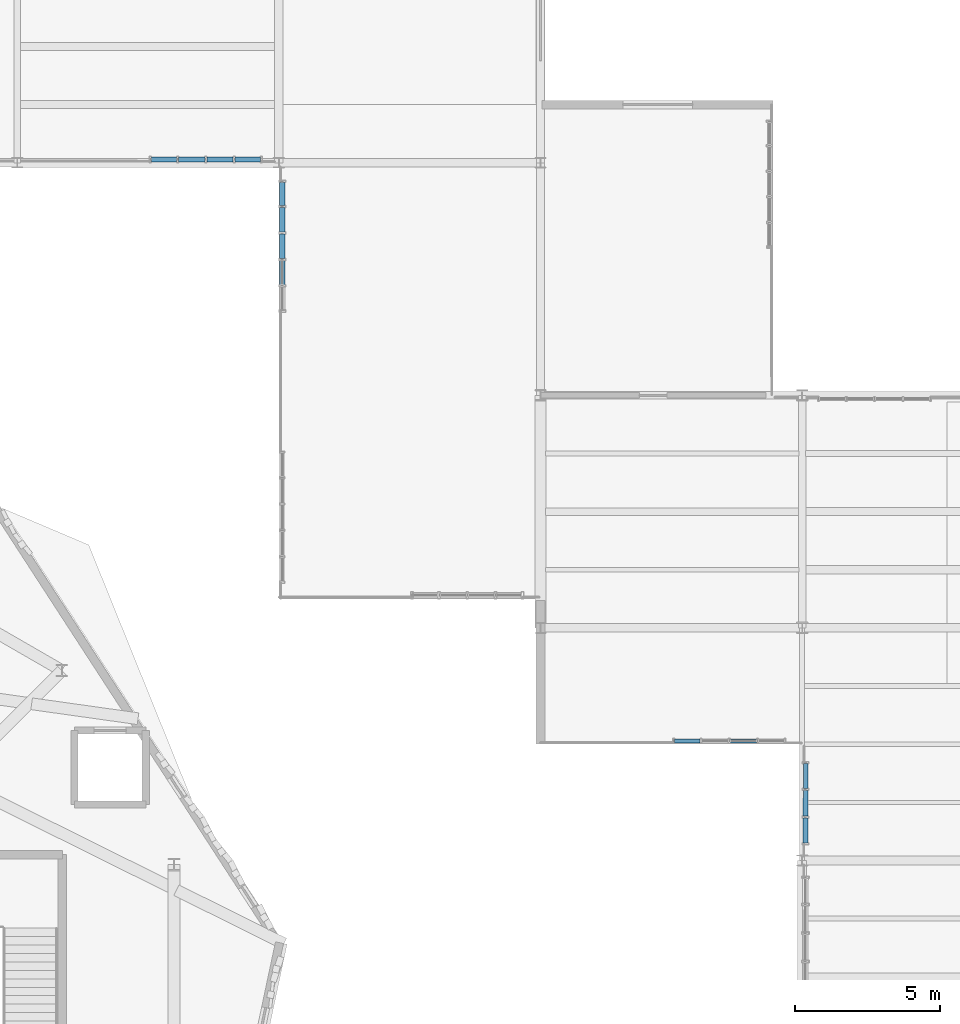
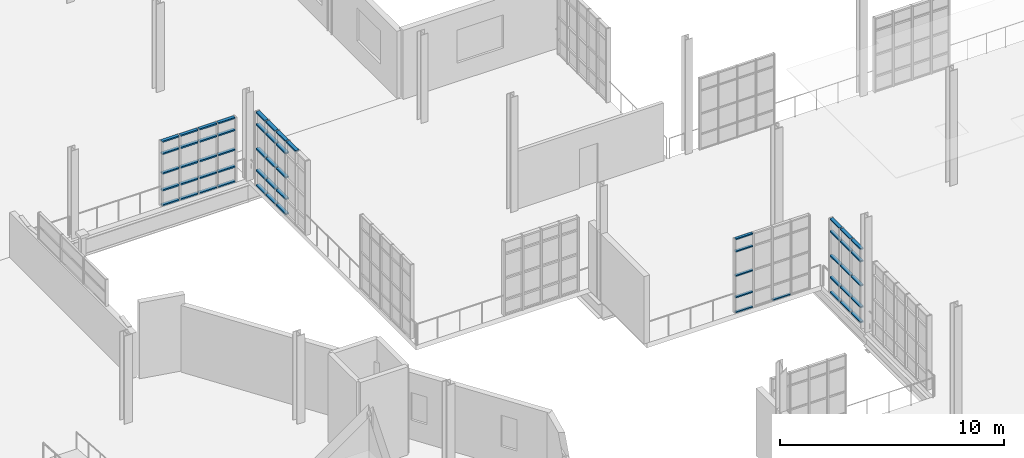
# One storey, part 80 of 118: 57 members, 4 elements without a shape of their own.
"""IFC4 building model written with IfcOpenShell, lengths in metres."""

import ifcopenshell
import ifcopenshell.guid

model = None  # the IFC model being written
_history = None  # IfcOwnerHistory: only IFC2X3 demands one
_inside = {}  # id of a spatial element -> (the spatial element, [elements in it])
_under = {}  # id of a project, library or spatial element -> (it, [spatial elements below it])
_declared = {}  # id of a project -> (the project, [libraries it declares])
_typed = {}  # id of a type object -> (the type object, [elements of that type])
_made_of = {}  # id of a material, layer set ... -> (it, [elements and type objects made of it])


def new_model(schema):
    """Start an empty IFC model of exactly this schema.

    Asked for "IFC4X3", IfcOpenShell would pick the latest addendum, in which some entities
    have other attributes; the version numbers below select the first issue.
    IFC2X3 requires an IfcOwnerHistory on every rooted entity: one is made here for all.
    """
    global model, _history
    if schema == "IFC4X3":
        model = ifcopenshell.file(schema_version=(4, 3, 0, 0))
    else:
        model = ifcopenshell.file(schema=schema)
    _inside.clear()
    _under.clear()
    _declared.clear()
    _typed.clear()
    _made_of.clear()
    _history = None
    if model.schema == "IFC2X3":
        org = make("IfcOrganization", Name="unknown")
        user = make(
            "IfcPersonAndOrganization",
            ThePerson=make("IfcPerson", FamilyName="unknown"),
            TheOrganization=org,
        )
        app = make(
            "IfcApplication",
            ApplicationDeveloper=org,
            Version="unknown",
            ApplicationFullName="unknown",
            ApplicationIdentifier="unknown",
        )
        _history = make(
            "IfcOwnerHistory",
            OwningUser=user,
            OwningApplication=app,
            ChangeAction="ADDED",
            CreationDate=0,
        )
    return model


def make(cls, **values):
    """One entity of the class cls with the attributes given. An attribute that is None is left unset."""
    return model.create_entity(
        cls, **{name: value for name, value in values.items() if value is not None}
    )


def rooted(cls, **values):
    """An entity with a GlobalId (a new one), such as an element, a storey or a relation."""
    return make(cls, GlobalId=ifcopenshell.guid.new(), OwnerHistory=_history, **values)


def si_unit(unit_type, name, prefix=None):
    """IfcSIUnit, for example si_unit("LENGTHUNIT", "METRE", prefix="MILLI")."""
    return make("IfcSIUnit", UnitType=unit_type, Prefix=prefix, Name=name)


def assignment(units):
    """IfcUnitAssignment: the units of a project."""
    return None if units is None else make("IfcUnitAssignment", Units=units)


def point(xyz):
    """IfcCartesianPoint."""
    return None if xyz is None else make("IfcCartesianPoint", Coordinates=xyz)


def direction(xyz):
    """IfcDirection."""
    return None if xyz is None else make("IfcDirection", DirectionRatios=xyz)


def frame(location, z_axis=None, x_axis=None):
    """IfcAxis2Placement3D, a coordinate frame: its origin and axes. An axis left out is left unset."""
    return make(
        "IfcAxis2Placement3D",
        Location=point(location),
        Axis=direction(z_axis),
        RefDirection=direction(x_axis),
    )


def frame_2d(location, x_axis=None):
    """IfcAxis2Placement2D, a coordinate frame in the plane: its origin and x axis."""
    return make(
        "IfcAxis2Placement2D", Location=point(location), RefDirection=direction(x_axis)
    )


def origin():
    """The frame at (0, 0, 0) with its axes left unset."""
    return frame((0.0, 0.0, 0.0))


def origin_2d():
    """The frame at (0, 0) in the plane with its x axis left unset."""
    return frame_2d((0.0, 0.0))


def place(relative_to, where):
    """IfcLocalPlacement: puts the frame where relative to a parent placement (None: the world)."""
    return make(
        "IfcLocalPlacement", PlacementRelTo=relative_to, RelativePlacement=where
    )


def context(
    kind, dimensions, precision=None, world=None, true_north=None, identifier=None
):
    """IfcGeometricRepresentationContext, for example the 3D "Model" context."""
    return make(
        "IfcGeometricRepresentationContext",
        ContextIdentifier=identifier,
        ContextType=kind,
        CoordinateSpaceDimension=dimensions,
        Precision=precision,
        WorldCoordinateSystem=world,
        TrueNorth=true_north,
    )


def subcontext(parent, identifier, kind, view, scale=None):
    """IfcGeometricRepresentationSubContext, for example "Body" below "Model"."""
    return make(
        "IfcGeometricRepresentationSubContext",
        ContextIdentifier=identifier,
        ContextType=kind,
        ParentContext=parent,
        TargetScale=scale,
        TargetView=view,
    )


def project(units=None, contexts=None):
    """IfcProject with its units and contexts."""
    return rooted(
        "IfcProject",
        Name="project",
        RepresentationContexts=contexts,
        UnitsInContext=assignment(units),
    )


def spatial(cls, under=None, at=None, **own):
    """A site, building, storey or space (cls), placed at a placement, below another one or the project."""
    s = rooted(cls, ObjectPlacement=at, **own)
    if under is not None:
        _under.setdefault(under.id(), (under, []))[1].append(s)
    return s


def profile(cls, at=None, kind="AREA", **sizes):
    """A parametric profile (cls). Its sizes go by their IFC names, for example OverallWidth=200.0."""
    return make(cls, ProfileType=kind, Position=at, **sizes)


def hollow_rectangle(**sizes):
    """IfcRectangleHollowProfileDef."""
    return profile("IfcRectangleHollowProfileDef", **sizes)


def extrude(swept, where, along, depth):
    """IfcExtrudedAreaSolid: the profile swept, set in the frame where, extruded along a direction by depth."""
    return make(
        "IfcExtrudedAreaSolid",
        SweptArea=swept,
        Position=where,
        ExtrudedDirection=direction(along),
        Depth=depth,
    )


def shape(context_of_items, identifier, shape_type, items):
    """IfcShapeRepresentation: the items that make up one representation, for example the "Body"."""
    return make(
        "IfcShapeRepresentation",
        ContextOfItems=context_of_items,
        RepresentationIdentifier=identifier,
        RepresentationType=shape_type,
        Items=items,
    )


def material(Name=None, Category=None):
    """IfcMaterial."""
    return make("IfcMaterial", Name=Name, Category=Category)


def layer(
    of_material, thickness, ventilated=None, Name=None, Category=None, Priority=None
):
    """IfcMaterialLayer: one layer of a wall or slab, of a material (None: an air gap)."""
    return make(
        "IfcMaterialLayer",
        Material=of_material,
        LayerThickness=thickness,
        IsVentilated=ventilated,
        Name=Name,
        Category=Category,
        Priority=Priority,
    )


def layer_set(layers, Name=None):
    """IfcMaterialLayerSet."""
    return make("IfcMaterialLayerSet", MaterialLayers=layers, LayerSetName=Name)


def material_profile(
    of_material, cross_section, Name=None, Category=None, Priority=None
):
    """IfcMaterialProfile: a cross section and its material."""
    return make(
        "IfcMaterialProfile",
        Name=Name,
        Material=of_material,
        Profile=cross_section,
        Priority=Priority,
        Category=Category,
    )


def profile_set(profiles, Name=None, composite=None):
    """IfcMaterialProfileSet."""
    return make(
        "IfcMaterialProfileSet",
        Name=Name,
        MaterialProfiles=profiles,
        CompositeProfile=composite,
    )


def made_of(thing, what):
    """Note that an element or type object is made of a material, layer set ...; save() writes the relation."""
    if what is not None:
        _made_of.setdefault(what.id(), (what, []))[1].append(thing)
    return thing


def type_object(cls, material=None, **own):
    """A type object (cls), such as IfcWallType, which elements share."""
    return made_of(rooted(cls, **own), material)


def element(
    cls,
    number,
    at=None,
    inside=None,
    cuts=None,
    type_object=None,
    material=None,
    context=None,
    identifier="Body",
    shape_type=None,
    held_by="IfcProductDefinitionShape",
    body=None,
    shapes=None,
    **own,
):
    """One element of the class cls, such as IfcWall. Its Tag is "e" and its number.

    at: its placement. inside: the storey or other place that contains it. cuts: it is an
    opening in that element (IfcRelVoidsElement). A single representation is given by context,
    identifier, shape_type and body (its items); several are given by shapes. held_by: the class
    of the entity that holds the representations. save() writes the other relations.
    """
    e = rooted(cls, Tag="e%d" % number, ObjectPlacement=at, **own)
    if body is not None:
        shapes = [shape(context, identifier, shape_type, body)]
    if shapes is not None:
        e.Representation = make(held_by, Representations=shapes)
    if inside is not None:
        _inside.setdefault(inside.id(), (inside, []))[1].append(e)
    if cuts is not None:
        rooted(
            "IfcRelVoidsElement", RelatingBuildingElement=cuts, RelatedOpeningElement=e
        )
    if type_object is not None:
        _typed.setdefault(type_object.id(), (type_object, []))[1].append(e)
    return made_of(e, material)


def aggregate(whole, parts):
    """IfcRelAggregates: a whole, such as a stair, and the parts it consists of."""
    return rooted("IfcRelAggregates", RelatingObject=whole, RelatedObjects=parts)


def save(model, path):
    """Write the relations noted so far, then the file.

    IfcRelAggregates (storeys below a building ...), IfcRelContainedInSpatialStructure (elements
    in a storey), IfcRelDefinesByType, IfcRelAssociatesMaterial and IfcRelDeclares: one each for
    every whole, place, type object, material and project.
    """
    for whole, parts in _under.values():
        aggregate(whole, parts)
    for where, things in _inside.values():
        rooted(
            "IfcRelContainedInSpatialStructure",
            RelatedElements=things,
            RelatingStructure=where,
        )
    for kind, things in _typed.values():
        rooted("IfcRelDefinesByType", RelatedObjects=things, RelatingType=kind)
    for what, things in _made_of.values():
        rooted("IfcRelAssociatesMaterial", RelatedObjects=things, RelatingMaterial=what)
    for by, libraries in _declared.values():
        rooted("IfcRelDeclares", RelatingContext=by, RelatedDefinitions=libraries)
    model.write(path)


model = new_model("IFC4")

# Units and contexts
model_context = context("Model", 3, precision=1e-05, world=origin(), true_north=direction((0.0, 1.0)))
body_context = subcontext(model_context, "Body", "Model", "MODEL_VIEW")
ifc_project = project(units=[si_unit("LENGTHUNIT", "METRE"), si_unit("AREAUNIT", "SQUARE_METRE"), si_unit("VOLUMEUNIT", "CUBIC_METRE"), si_unit("PLANEANGLEUNIT", "RADIAN"), si_unit("MASSUNIT", "GRAM", prefix="KILO"), si_unit("THERMODYNAMICTEMPERATUREUNIT", "KELVIN"), si_unit("POWERUNIT", "WATT")], contexts=[model_context])

# Site, building, storey
site_placement = place(None, origin())
site = spatial("IfcSite", under=ifc_project, at=site_placement, CompositionType="ELEMENT")
building_placement = place(site_placement, origin())
building = spatial("IfcBuilding", under=site, at=building_placement, Name="Zelmaris Science Centre", CompositionType="ELEMENT")
storey_placement = place(building_placement, frame((0.0, 0.0, 15.60009765625)))
storey = spatial("IfcBuildingStorey", under=building, at=storey_placement, Name="L03", CompositionType="ELEMENT", Elevation=15.60009765625)

# Curtain wall, members
ifc_material = material(Name="Anodised architectural aluminium 6063-T6", Category="aluminium")
ifc_layer_1 = layer(ifc_material, 0.2099609375, Name="Anodised architectural aluminium 6063-T6")
ifc_layer_set_1 = layer_set([ifc_layer_1], Name="Anodised architectural aluminium 6063-T6")
curtain_wall_type_1 = type_object("IfcCurtainWallType", Name="Curtain Wall CW-03", PredefinedType="USERDEFINED", material=ifc_layer_set_1)
curtain_wall_1_placement = place(storey_placement, origin())
curtain_wall_1 = element("IfcCurtainWall", 1, at=curtain_wall_1_placement, inside=storey, type_object=curtain_wall_type_1, Name="L03 Unitised curtain wall 327", ObjectType="GLAZED CURTAIN WALL", PredefinedType="USERDEFINED")
ifc_material_profile_1 = material_profile(ifc_material, hollow_rectangle(XDim=0.06494140625, YDim=0.1298828125, WallThickness=0.00341796875, at=origin_2d()), Name="ALU-TRN-65X130")
ifc_profile_set_1 = profile_set([ifc_material_profile_1], Name="Anodised architectural aluminium 6063-T6")
member_type_1 = type_object("IfcMemberType", Name="ALU-TRN-65X130", PredefinedType="USERDEFINED", material=ifc_profile_set_1)
member_1_placement = place(storey_placement, frame((115.4375, 44.108642578125, 0.013427734375), z_axis=(-0.99999871932, 0.001600424731, 0.0), x_axis=(0.0, 0.0, 1.0)))
member_1 = element("IfcMember", 2, at=member_1_placement, type_object=member_type_1, Name="CW-03 transom 2.1", ObjectType="TRANSOM", PredefinedType="USERDEFINED", context=body_context, shape_type="SweptSolid", body=[
    extrude(hollow_rectangle(XDim=0.06494140625, YDim=0.1298828125, WallThickness=0.00341796875, at=origin_2d()), origin(), (0.0, 0.0, 1.0), 0.915283203125),
])
member_2_placement = place(storey_placement, frame((113.4931640625, 44.111572265625, 0.013427734375), z_axis=(-0.999998636231, 0.001651525411, 0.0), x_axis=(0.0, 0.0, 1.0)))
member_2 = element("IfcMember", 3, at=member_2_placement, type_object=member_type_1, Name="CW-03 transom 4.1", ObjectType="TRANSOM", PredefinedType="USERDEFINED", context=body_context, shape_type="SweptSolid", body=[
    extrude(hollow_rectangle(XDim=0.06494140625, YDim=0.1298828125, WallThickness=0.00341796875, at=origin_2d()), origin(), (0.0, 0.0, 1.0), 0.886962890625),
])
member_3_placement = place(storey_placement, frame((113.4931640625, 44.111572265625, 0.8349609375), z_axis=(-0.999998636231, 0.001651525411, 0.0), x_axis=(0.0, 0.0, 1.0)))
member_3 = element("IfcMember", 4, at=member_3_placement, type_object=member_type_1, Name="CW-03 transom 4.2", ObjectType="TRANSOM", PredefinedType="USERDEFINED", context=body_context, shape_type="SweptSolid", body=[
    extrude(hollow_rectangle(XDim=0.06494140625, YDim=0.1298828125, WallThickness=0.00341796875, at=origin_2d()), origin(), (0.0, 0.0, 1.0), 0.886962890625),
])
member_4_placement = place(storey_placement, frame((113.4931640625, 44.111572265625, 2.00732421875), z_axis=(-0.999998636231, 0.001651525411, 0.0), x_axis=(0.0, 0.0, 1.0)))
member_4 = element("IfcMember", 5, at=member_4_placement, type_object=member_type_1, Name="CW-03 transom 4.3", ObjectType="TRANSOM", PredefinedType="USERDEFINED", context=body_context, shape_type="SweptSolid", body=[
    extrude(hollow_rectangle(XDim=0.06494140625, YDim=0.1298828125, WallThickness=0.00341796875, at=origin_2d()), origin(), (0.0, 0.0, 1.0), 0.886962890625),
])
member_5_placement = place(storey_placement, frame((113.4931640625, 44.111572265625, 3.329833984375), z_axis=(-0.999998636231, 0.001651525411, 0.0), x_axis=(0.0, 0.0, 1.0)))
member_5 = element("IfcMember", 6, at=member_5_placement, type_object=member_type_1, Name="CW-03 transom 4.4", ObjectType="TRANSOM", PredefinedType="USERDEFINED", context=body_context, shape_type="SweptSolid", body=[
    extrude(hollow_rectangle(XDim=0.06494140625, YDim=0.1298828125, WallThickness=0.00341796875, at=origin_2d()), origin(), (0.0, 0.0, 1.0), 0.886962890625),
])
member_6_placement = place(storey_placement, frame((113.4931640625, 44.111572265625, 4.00146484375), z_axis=(-0.999998636231, 0.001651525411, 0.0), x_axis=(0.0, 0.0, 1.0)))
member_6 = element("IfcMember", 7, at=member_6_placement, type_object=member_type_1, Name="CW-03 transom 4.5", ObjectType="TRANSOM", PredefinedType="USERDEFINED", context=body_context, shape_type="SweptSolid", body=[
    extrude(hollow_rectangle(XDim=0.06494140625, YDim=0.1298828125, WallThickness=0.00341796875, at=origin_2d()), origin(), (0.0, 0.0, 1.0), 0.886962890625),
])
aggregate(curtain_wall_1, [member_1, member_2, member_3, member_4, member_5, member_6])

ifc_layer_2 = layer(ifc_material, 0.199951171875, Name="Anodised architectural aluminium 6063-T6")
ifc_layer_set_2 = layer_set([ifc_layer_2], Name="Anodised architectural aluminium 6063-T6")
curtain_wall_type_2 = type_object("IfcCurtainWallType", Name="Curtain Wall CW-02", PredefinedType="USERDEFINED", material=ifc_layer_set_2)
curtain_wall_2_placement = place(storey_placement, origin())
curtain_wall_2 = element("IfcCurtainWall", 8, at=curtain_wall_2_placement, inside=storey, type_object=curtain_wall_type_2, Name="L03 Unitised curtain wall 326", ObjectType="GLAZED CURTAIN WALL", PredefinedType="USERDEFINED")
ifc_material_profile_2 = material_profile(ifc_material, hollow_rectangle(XDim=0.074951171875, YDim=0.159912109375, WallThickness=0.00390625, at=origin_2d()), Name="ALU-TRN-75X160")
ifc_profile_set_2 = profile_set([ifc_material_profile_2], Name="Anodised architectural aluminium 6063-T6")
member_type_2 = type_object("IfcMemberType", Name="ALU-TRN-75X160", PredefinedType="USERDEFINED", material=ifc_profile_set_2)
member_7_placement = place(storey_placement, frame((117.116455078125, 40.60693359375, 0.018310546875), z_axis=(0.001145146687, 0.999999344319, 0.0), x_axis=(0.0, 0.0, 1.0)))
member_7 = element("IfcMember", 9, at=member_7_placement, type_object=member_type_2, Name="CW-02 transom 1.1", ObjectType="TRANSOM", PredefinedType="USERDEFINED", context=body_context, shape_type="SweptSolid", body=[
    extrude(hollow_rectangle(XDim=0.074951171875, YDim=0.159912109375, WallThickness=0.00390625, at=origin_2d()), origin(), (0.0, 0.0, 1.0), 0.852783203125),
])
member_8_placement = place(storey_placement, frame((117.116455078125, 40.60693359375, 0.8349609375), z_axis=(0.001145146687, 0.999999344319, 0.0), x_axis=(0.0, 0.0, 1.0)))
member_8 = element("IfcMember", 10, at=member_8_placement, type_object=member_type_2, Name="CW-02 transom 1.2", ObjectType="TRANSOM", PredefinedType="USERDEFINED", context=body_context, shape_type="SweptSolid", body=[
    extrude(hollow_rectangle(XDim=0.074951171875, YDim=0.159912109375, WallThickness=0.00390625, at=origin_2d()), origin(), (0.0, 0.0, 1.0), 0.852783203125),
])
member_9_placement = place(storey_placement, frame((117.116455078125, 40.60693359375, 2.00732421875), z_axis=(0.001145146687, 0.999999344319, 0.0), x_axis=(0.0, 0.0, 1.0)))
member_9 = element("IfcMember", 11, at=member_9_placement, type_object=member_type_2, Name="CW-02 transom 1.3", ObjectType="TRANSOM", PredefinedType="USERDEFINED", context=body_context, shape_type="SweptSolid", body=[
    extrude(hollow_rectangle(XDim=0.074951171875, YDim=0.159912109375, WallThickness=0.00390625, at=origin_2d()), origin(), (0.0, 0.0, 1.0), 0.852783203125),
])
member_10_placement = place(storey_placement, frame((117.116455078125, 40.60693359375, 3.329833984375), z_axis=(0.001145146687, 0.999999344319, 0.0), x_axis=(0.0, 0.0, 1.0)))
member_10 = element("IfcMember", 12, at=member_10_placement, type_object=member_type_2, Name="CW-02 transom 1.4", ObjectType="TRANSOM", PredefinedType="USERDEFINED", context=body_context, shape_type="SweptSolid", body=[
    extrude(hollow_rectangle(XDim=0.074951171875, YDim=0.159912109375, WallThickness=0.00390625, at=origin_2d()), origin(), (0.0, 0.0, 1.0), 0.852783203125),
])
member_11_placement = place(storey_placement, frame((117.116455078125, 40.60693359375, 3.996337890625), z_axis=(0.001145146687, 0.999999344319, 0.0), x_axis=(0.0, 0.0, 1.0)))
member_11 = element("IfcMember", 13, at=member_11_placement, type_object=member_type_2, Name="CW-02 transom 1.5", ObjectType="TRANSOM", PredefinedType="USERDEFINED", context=body_context, shape_type="SweptSolid", body=[
    extrude(hollow_rectangle(XDim=0.074951171875, YDim=0.159912109375, WallThickness=0.00390625, at=origin_2d()), origin(), (0.0, 0.0, 1.0), 0.852783203125),
])
member_12_placement = place(storey_placement, frame((117.117431640625, 41.526611328125, 0.018310546875), z_axis=(0.001101624228, 0.999999393212, 0.0), x_axis=(0.0, 0.0, 1.0)))
member_12 = element("IfcMember", 14, at=member_12_placement, type_object=member_type_2, Name="CW-02 transom 2.1", ObjectType="TRANSOM", PredefinedType="USERDEFINED", context=body_context, shape_type="SweptSolid", body=[
    extrude(hollow_rectangle(XDim=0.074951171875, YDim=0.159912109375, WallThickness=0.00390625, at=origin_2d()), origin(), (0.0, 0.0, 1.0), 0.886474609375),
])
member_13_placement = place(storey_placement, frame((117.117431640625, 41.526611328125, 0.8349609375), z_axis=(0.001101624228, 0.999999393212, 0.0), x_axis=(0.0, 0.0, 1.0)))
member_13 = element("IfcMember", 15, at=member_13_placement, type_object=member_type_2, Name="CW-02 transom 2.2", ObjectType="TRANSOM", PredefinedType="USERDEFINED", context=body_context, shape_type="SweptSolid", body=[
    extrude(hollow_rectangle(XDim=0.074951171875, YDim=0.159912109375, WallThickness=0.00390625, at=origin_2d()), origin(), (0.0, 0.0, 1.0), 0.886474609375),
])
member_14_placement = place(storey_placement, frame((117.117431640625, 41.526611328125, 2.00732421875), z_axis=(0.001101624228, 0.999999393212, 0.0), x_axis=(0.0, 0.0, 1.0)))
member_14 = element("IfcMember", 16, at=member_14_placement, type_object=member_type_2, Name="CW-02 transom 2.3", ObjectType="TRANSOM", PredefinedType="USERDEFINED", context=body_context, shape_type="SweptSolid", body=[
    extrude(hollow_rectangle(XDim=0.074951171875, YDim=0.159912109375, WallThickness=0.00390625, at=origin_2d()), origin(), (0.0, 0.0, 1.0), 0.886474609375),
])
member_15_placement = place(storey_placement, frame((117.117431640625, 41.526611328125, 3.329833984375), z_axis=(0.001101624228, 0.999999393212, 0.0), x_axis=(0.0, 0.0, 1.0)))
member_15 = element("IfcMember", 17, at=member_15_placement, type_object=member_type_2, Name="CW-02 transom 2.4", ObjectType="TRANSOM", PredefinedType="USERDEFINED", context=body_context, shape_type="SweptSolid", body=[
    extrude(hollow_rectangle(XDim=0.074951171875, YDim=0.159912109375, WallThickness=0.00390625, at=origin_2d()), origin(), (0.0, 0.0, 1.0), 0.886474609375),
])
member_16_placement = place(storey_placement, frame((117.117431640625, 41.526611328125, 3.996337890625), z_axis=(0.001101624228, 0.999999393212, 0.0), x_axis=(0.0, 0.0, 1.0)))
member_16 = element("IfcMember", 18, at=member_16_placement, type_object=member_type_2, Name="CW-02 transom 2.5", ObjectType="TRANSOM", PredefinedType="USERDEFINED", context=body_context, shape_type="SweptSolid", body=[
    extrude(hollow_rectangle(XDim=0.074951171875, YDim=0.159912109375, WallThickness=0.00390625, at=origin_2d()), origin(), (0.0, 0.0, 1.0), 0.886474609375),
])
member_17_placement = place(storey_placement, frame((117.118408203125, 42.47998046875, 0.018310546875), z_axis=(0.001144818941, 0.999999344695, 0.0), x_axis=(0.0, 0.0, 1.0)))
member_17 = element("IfcMember", 19, at=member_17_placement, type_object=member_type_2, Name="CW-02 transom 3.1", ObjectType="TRANSOM", PredefinedType="USERDEFINED", context=body_context, shape_type="SweptSolid", body=[
    extrude(hollow_rectangle(XDim=0.074951171875, YDim=0.159912109375, WallThickness=0.00390625, at=origin_2d()), origin(), (0.0, 0.0, 1.0), 0.85302734375),
])
member_18_placement = place(storey_placement, frame((117.118408203125, 42.47998046875, 0.8349609375), z_axis=(0.001144818941, 0.999999344695, 0.0), x_axis=(0.0, 0.0, 1.0)))
member_18 = element("IfcMember", 20, at=member_18_placement, type_object=member_type_2, Name="CW-02 transom 3.2", ObjectType="TRANSOM", PredefinedType="USERDEFINED", context=body_context, shape_type="SweptSolid", body=[
    extrude(hollow_rectangle(XDim=0.074951171875, YDim=0.159912109375, WallThickness=0.00390625, at=origin_2d()), origin(), (0.0, 0.0, 1.0), 0.85302734375),
])
member_19_placement = place(storey_placement, frame((117.118408203125, 42.47998046875, 2.00732421875), z_axis=(0.001144818941, 0.999999344695, 0.0), x_axis=(0.0, 0.0, 1.0)))
member_19 = element("IfcMember", 21, at=member_19_placement, type_object=member_type_2, Name="CW-02 transom 3.3", ObjectType="TRANSOM", PredefinedType="USERDEFINED", context=body_context, shape_type="SweptSolid", body=[
    extrude(hollow_rectangle(XDim=0.074951171875, YDim=0.159912109375, WallThickness=0.00390625, at=origin_2d()), origin(), (0.0, 0.0, 1.0), 0.85302734375),
])
member_20_placement = place(storey_placement, frame((117.118408203125, 42.47998046875, 3.329833984375), z_axis=(0.001144818941, 0.999999344695, 0.0), x_axis=(0.0, 0.0, 1.0)))
member_20 = element("IfcMember", 22, at=member_20_placement, type_object=member_type_2, Name="CW-02 transom 3.4", ObjectType="TRANSOM", PredefinedType="USERDEFINED", context=body_context, shape_type="SweptSolid", body=[
    extrude(hollow_rectangle(XDim=0.074951171875, YDim=0.159912109375, WallThickness=0.00390625, at=origin_2d()), origin(), (0.0, 0.0, 1.0), 0.85302734375),
])
member_21_placement = place(storey_placement, frame((117.118408203125, 42.47998046875, 3.996337890625), z_axis=(0.001144818941, 0.999999344695, 0.0), x_axis=(0.0, 0.0, 1.0)))
member_21 = element("IfcMember", 23, at=member_21_placement, type_object=member_type_2, Name="CW-02 transom 3.5", ObjectType="TRANSOM", PredefinedType="USERDEFINED", context=body_context, shape_type="SweptSolid", body=[
    extrude(hollow_rectangle(XDim=0.074951171875, YDim=0.159912109375, WallThickness=0.00390625, at=origin_2d()), origin(), (0.0, 0.0, 1.0), 0.85302734375),
])
aggregate(curtain_wall_2, [member_7, member_8, member_9, member_10, member_11, member_12, member_13, member_14, member_15, member_16, member_17, member_18, member_19, member_20, member_21])

curtain_wall_3_placement = place(storey_placement, origin())
curtain_wall_3 = element("IfcCurtainWall", 24, at=curtain_wall_3_placement, inside=storey, type_object=curtain_wall_type_2, Name="L03 Unitised curtain wall 334", ObjectType="GLAZED CURTAIN WALL", PredefinedType="USERDEFINED")
member_22_placement = place(storey_placement, frame((98.366455078125, 64.1103515625, 0.018310546875), z_axis=(-0.999999646522, 0.000840806878, 0.0), x_axis=(0.0, 0.0, 1.0)))
member_22 = element("IfcMember", 25, at=member_22_placement, type_object=member_type_2, Name="CW-02 transom 1.1", ObjectType="TRANSOM", PredefinedType="USERDEFINED", context=body_context, shape_type="SweptSolid", body=[
    extrude(hollow_rectangle(XDim=0.074951171875, YDim=0.159912109375, WallThickness=0.00390625, at=origin_2d()), origin(), (0.0, 0.0, 1.0), 0.87109375),
])
member_23_placement = place(storey_placement, frame((98.366455078125, 64.1103515625, 0.8349609375), z_axis=(-0.999999646522, 0.000840806878, 0.0), x_axis=(0.0, 0.0, 1.0)))
member_23 = element("IfcMember", 26, at=member_23_placement, type_object=member_type_2, Name="CW-02 transom 1.2", ObjectType="TRANSOM", PredefinedType="USERDEFINED", context=body_context, shape_type="SweptSolid", body=[
    extrude(hollow_rectangle(XDim=0.074951171875, YDim=0.159912109375, WallThickness=0.00390625, at=origin_2d()), origin(), (0.0, 0.0, 1.0), 0.87109375),
])
member_24_placement = place(storey_placement, frame((98.366455078125, 64.1103515625, 1.75439453125), z_axis=(-0.999999646522, 0.000840806878, 0.0), x_axis=(0.0, 0.0, 1.0)))
member_24 = element("IfcMember", 27, at=member_24_placement, type_object=member_type_2, Name="CW-02 transom 1.3", ObjectType="TRANSOM", PredefinedType="USERDEFINED", context=body_context, shape_type="SweptSolid", body=[
    extrude(hollow_rectangle(XDim=0.074951171875, YDim=0.159912109375, WallThickness=0.00390625, at=origin_2d()), origin(), (0.0, 0.0, 1.0), 0.87109375),
])
member_25_placement = place(storey_placement, frame((98.366455078125, 64.1103515625, 2.823974609375), z_axis=(-0.999999646522, 0.000840806878, 0.0), x_axis=(0.0, 0.0, 1.0)))
member_25 = element("IfcMember", 28, at=member_25_placement, type_object=member_type_2, Name="CW-02 transom 1.4", ObjectType="TRANSOM", PredefinedType="USERDEFINED", context=body_context, shape_type="SweptSolid", body=[
    extrude(hollow_rectangle(XDim=0.074951171875, YDim=0.159912109375, WallThickness=0.00390625, at=origin_2d()), origin(), (0.0, 0.0, 1.0), 0.87109375),
])
member_26_placement = place(storey_placement, frame((98.366455078125, 64.1103515625, 3.490478515625), z_axis=(-0.999999646522, 0.000840806878, 0.0), x_axis=(0.0, 0.0, 1.0)))
member_26 = element("IfcMember", 29, at=member_26_placement, type_object=member_type_2, Name="CW-02 transom 1.5", ObjectType="TRANSOM", PredefinedType="USERDEFINED", context=body_context, shape_type="SweptSolid", body=[
    extrude(hollow_rectangle(XDim=0.074951171875, YDim=0.159912109375, WallThickness=0.00390625, at=origin_2d()), origin(), (0.0, 0.0, 1.0), 0.87109375),
])
member_27_placement = place(storey_placement, frame((97.42822265625, 64.111083984375, 0.018310546875), z_axis=(-0.99999967218, 0.000809716334, 0.0), x_axis=(0.0, 0.0, 1.0)))
member_27 = element("IfcMember", 30, at=member_27_placement, type_object=member_type_2, Name="CW-02 transom 2.1", ObjectType="TRANSOM", PredefinedType="USERDEFINED", context=body_context, shape_type="SweptSolid", body=[
    extrude(hollow_rectangle(XDim=0.074951171875, YDim=0.159912109375, WallThickness=0.00390625, at=origin_2d()), origin(), (0.0, 0.0, 1.0), 0.904541015625),
])
member_28_placement = place(storey_placement, frame((97.42822265625, 64.111083984375, 0.8349609375), z_axis=(-0.99999967218, 0.000809716334, 0.0), x_axis=(0.0, 0.0, 1.0)))
member_28 = element("IfcMember", 31, at=member_28_placement, type_object=member_type_2, Name="CW-02 transom 2.2", ObjectType="TRANSOM", PredefinedType="USERDEFINED", context=body_context, shape_type="SweptSolid", body=[
    extrude(hollow_rectangle(XDim=0.074951171875, YDim=0.159912109375, WallThickness=0.00390625, at=origin_2d()), origin(), (0.0, 0.0, 1.0), 0.904541015625),
])
member_29_placement = place(storey_placement, frame((97.42822265625, 64.111083984375, 1.75439453125), z_axis=(-0.99999967218, 0.000809716334, 0.0), x_axis=(0.0, 0.0, 1.0)))
member_29 = element("IfcMember", 32, at=member_29_placement, type_object=member_type_2, Name="CW-02 transom 2.3", ObjectType="TRANSOM", PredefinedType="USERDEFINED", context=body_context, shape_type="SweptSolid", body=[
    extrude(hollow_rectangle(XDim=0.074951171875, YDim=0.159912109375, WallThickness=0.00390625, at=origin_2d()), origin(), (0.0, 0.0, 1.0), 0.904541015625),
])
member_30_placement = place(storey_placement, frame((97.42822265625, 64.111083984375, 2.823974609375), z_axis=(-0.99999967218, 0.000809716334, 0.0), x_axis=(0.0, 0.0, 1.0)))
member_30 = element("IfcMember", 33, at=member_30_placement, type_object=member_type_2, Name="CW-02 transom 2.4", ObjectType="TRANSOM", PredefinedType="USERDEFINED", context=body_context, shape_type="SweptSolid", body=[
    extrude(hollow_rectangle(XDim=0.074951171875, YDim=0.159912109375, WallThickness=0.00390625, at=origin_2d()), origin(), (0.0, 0.0, 1.0), 0.904541015625),
])
member_31_placement = place(storey_placement, frame((97.42822265625, 64.111083984375, 3.490478515625), z_axis=(-0.99999967218, 0.000809716334, 0.0), x_axis=(0.0, 0.0, 1.0)))
member_31 = element("IfcMember", 34, at=member_31_placement, type_object=member_type_2, Name="CW-02 transom 2.5", ObjectType="TRANSOM", PredefinedType="USERDEFINED", context=body_context, shape_type="SweptSolid", body=[
    extrude(hollow_rectangle(XDim=0.074951171875, YDim=0.159912109375, WallThickness=0.00390625, at=origin_2d()), origin(), (0.0, 0.0, 1.0), 0.904541015625),
])
member_32_placement = place(storey_placement, frame((96.45654296875, 64.112060546875, 0.018310546875), z_axis=(-0.99999967218, 0.000809716334, 0.0), x_axis=(0.0, 0.0, 1.0)))
member_32 = element("IfcMember", 35, at=member_32_placement, type_object=member_type_2, Name="CW-02 transom 3.1", ObjectType="TRANSOM", PredefinedType="USERDEFINED", context=body_context, shape_type="SweptSolid", body=[
    extrude(hollow_rectangle(XDim=0.074951171875, YDim=0.159912109375, WallThickness=0.00390625, at=origin_2d()), origin(), (0.0, 0.0, 1.0), 0.904541015625),
])
member_33_placement = place(storey_placement, frame((96.45654296875, 64.112060546875, 0.8349609375), z_axis=(-0.99999967218, 0.000809716334, 0.0), x_axis=(0.0, 0.0, 1.0)))
member_33 = element("IfcMember", 36, at=member_33_placement, type_object=member_type_2, Name="CW-02 transom 3.2", ObjectType="TRANSOM", PredefinedType="USERDEFINED", context=body_context, shape_type="SweptSolid", body=[
    extrude(hollow_rectangle(XDim=0.074951171875, YDim=0.159912109375, WallThickness=0.00390625, at=origin_2d()), origin(), (0.0, 0.0, 1.0), 0.904541015625),
])
member_34_placement = place(storey_placement, frame((96.45654296875, 64.112060546875, 1.75439453125), z_axis=(-0.99999967218, 0.000809716334, 0.0), x_axis=(0.0, 0.0, 1.0)))
member_34 = element("IfcMember", 37, at=member_34_placement, type_object=member_type_2, Name="CW-02 transom 3.3", ObjectType="TRANSOM", PredefinedType="USERDEFINED", context=body_context, shape_type="SweptSolid", body=[
    extrude(hollow_rectangle(XDim=0.074951171875, YDim=0.159912109375, WallThickness=0.00390625, at=origin_2d()), origin(), (0.0, 0.0, 1.0), 0.904541015625),
])
member_35_placement = place(storey_placement, frame((96.45654296875, 64.112060546875, 2.823974609375), z_axis=(-0.99999967218, 0.000809716334, 0.0), x_axis=(0.0, 0.0, 1.0)))
member_35 = element("IfcMember", 38, at=member_35_placement, type_object=member_type_2, Name="CW-02 transom 3.4", ObjectType="TRANSOM", PredefinedType="USERDEFINED", context=body_context, shape_type="SweptSolid", body=[
    extrude(hollow_rectangle(XDim=0.074951171875, YDim=0.159912109375, WallThickness=0.00390625, at=origin_2d()), origin(), (0.0, 0.0, 1.0), 0.904541015625),
])
member_36_placement = place(storey_placement, frame((96.45654296875, 64.112060546875, 3.490478515625), z_axis=(-0.99999967218, 0.000809716334, 0.0), x_axis=(0.0, 0.0, 1.0)))
member_36 = element("IfcMember", 39, at=member_36_placement, type_object=member_type_2, Name="CW-02 transom 3.5", ObjectType="TRANSOM", PredefinedType="USERDEFINED", context=body_context, shape_type="SweptSolid", body=[
    extrude(hollow_rectangle(XDim=0.074951171875, YDim=0.159912109375, WallThickness=0.00390625, at=origin_2d()), origin(), (0.0, 0.0, 1.0), 0.904541015625),
])
member_37_placement = place(storey_placement, frame((95.48486328125, 64.11279296875, 0.018310546875), z_axis=(-0.999999646522, 0.000840806878, 0.0), x_axis=(0.0, 0.0, 1.0)))
member_37 = element("IfcMember", 40, at=member_37_placement, type_object=member_type_2, Name="CW-02 transom 4.1", ObjectType="TRANSOM", PredefinedType="USERDEFINED", context=body_context, shape_type="SweptSolid", body=[
    extrude(hollow_rectangle(XDim=0.074951171875, YDim=0.159912109375, WallThickness=0.00390625, at=origin_2d()), origin(), (0.0, 0.0, 1.0), 0.87109375),
])
member_38_placement = place(storey_placement, frame((95.48486328125, 64.11279296875, 0.8349609375), z_axis=(-0.999999646522, 0.000840806878, 0.0), x_axis=(0.0, 0.0, 1.0)))
member_38 = element("IfcMember", 41, at=member_38_placement, type_object=member_type_2, Name="CW-02 transom 4.2", ObjectType="TRANSOM", PredefinedType="USERDEFINED", context=body_context, shape_type="SweptSolid", body=[
    extrude(hollow_rectangle(XDim=0.074951171875, YDim=0.159912109375, WallThickness=0.00390625, at=origin_2d()), origin(), (0.0, 0.0, 1.0), 0.87109375),
])
member_39_placement = place(storey_placement, frame((95.48486328125, 64.11279296875, 1.75439453125), z_axis=(-0.999999646522, 0.000840806878, 0.0), x_axis=(0.0, 0.0, 1.0)))
member_39 = element("IfcMember", 42, at=member_39_placement, type_object=member_type_2, Name="CW-02 transom 4.3", ObjectType="TRANSOM", PredefinedType="USERDEFINED", context=body_context, shape_type="SweptSolid", body=[
    extrude(hollow_rectangle(XDim=0.074951171875, YDim=0.159912109375, WallThickness=0.00390625, at=origin_2d()), origin(), (0.0, 0.0, 1.0), 0.87109375),
])
member_40_placement = place(storey_placement, frame((95.48486328125, 64.11279296875, 2.823974609375), z_axis=(-0.999999646522, 0.000840806878, 0.0), x_axis=(0.0, 0.0, 1.0)))
member_40 = element("IfcMember", 43, at=member_40_placement, type_object=member_type_2, Name="CW-02 transom 4.4", ObjectType="TRANSOM", PredefinedType="USERDEFINED", context=body_context, shape_type="SweptSolid", body=[
    extrude(hollow_rectangle(XDim=0.074951171875, YDim=0.159912109375, WallThickness=0.00390625, at=origin_2d()), origin(), (0.0, 0.0, 1.0), 0.87109375),
])
member_41_placement = place(storey_placement, frame((95.48486328125, 64.11279296875, 3.490478515625), z_axis=(-0.999999646522, 0.000840806878, 0.0), x_axis=(0.0, 0.0, 1.0)))
member_41 = element("IfcMember", 44, at=member_41_placement, type_object=member_type_2, Name="CW-02 transom 4.5", ObjectType="TRANSOM", PredefinedType="USERDEFINED", context=body_context, shape_type="SweptSolid", body=[
    extrude(hollow_rectangle(XDim=0.074951171875, YDim=0.159912109375, WallThickness=0.00390625, at=origin_2d()), origin(), (0.0, 0.0, 1.0), 0.87109375),
])
aggregate(curtain_wall_3, [member_22, member_23, member_24, member_25, member_26, member_27, member_28, member_29, member_30, member_31, member_32, member_33, member_34, member_35, member_36, member_37, member_38, member_39, member_40, member_41])

ifc_layer_3 = layer(ifc_material, 0.18994140625, Name="Anodised architectural aluminium 6063-T6")
ifc_layer_set_3 = layer_set([ifc_layer_3], Name="Anodised architectural aluminium 6063-T6")
curtain_wall_type_3 = type_object("IfcCurtainWallType", Name="Curtain Wall CW-01", PredefinedType="USERDEFINED", material=ifc_layer_set_3)
curtain_wall_4_placement = place(storey_placement, origin())
curtain_wall_4 = element("IfcCurtainWall", 45, at=curtain_wall_4_placement, inside=storey, type_object=curtain_wall_type_3, Name="L03 Unitised curtain wall 333", ObjectType="GLAZED CURTAIN WALL", PredefinedType="USERDEFINED")
ifc_material_profile_3 = material_profile(ifc_material, hollow_rectangle(XDim=0.080078125, YDim=0.18994140625, WallThickness=0.00439453125, at=origin_2d()), Name="ALU-TRN-80X190")
ifc_profile_set_3 = profile_set([ifc_material_profile_3], Name="Anodised architectural aluminium 6063-T6")
member_type_3 = type_object("IfcMemberType", Name="ALU-TRN-80X190", PredefinedType="USERDEFINED", material=ifc_profile_set_3)
member_42_placement = place(storey_placement, frame((99.1201171875, 59.803955078125, 3.993896484375), z_axis=(0.0, 1.0, 0.0), x_axis=(0.0, 0.0, 1.0)))
member_42 = element("IfcMember", 46, at=member_42_placement, type_object=member_type_3, Name="CW-01 transom 2.5", ObjectType="TRANSOM", PredefinedType="USERDEFINED", context=body_context, shape_type="SweptSolid", body=[
    extrude(hollow_rectangle(XDim=0.080078125, YDim=0.18994140625, WallThickness=0.00439453125, at=origin_2d()), origin(), (0.0, 0.0, 1.0), 0.8359375),
])
member_43_placement = place(storey_placement, frame((99.1201171875, 60.7119140625, 0.02099609375), z_axis=(0.0, 1.0, 0.0), x_axis=(0.0, 0.0, 1.0)))
member_43 = element("IfcMember", 47, at=member_43_placement, type_object=member_type_3, Name="CW-01 transom 3.1", ObjectType="TRANSOM", PredefinedType="USERDEFINED", context=body_context, shape_type="SweptSolid", body=[
    extrude(hollow_rectangle(XDim=0.080078125, YDim=0.18994140625, WallThickness=0.00439453125, at=origin_2d()), origin(), (0.0, 0.0, 1.0), 0.836181640625),
])
member_44_placement = place(storey_placement, frame((99.1201171875, 60.7119140625, 0.8349609375), z_axis=(0.0, 1.0, 0.0), x_axis=(0.0, 0.0, 1.0)))
member_44 = element("IfcMember", 48, at=member_44_placement, type_object=member_type_3, Name="CW-01 transom 3.2", ObjectType="TRANSOM", PredefinedType="USERDEFINED", context=body_context, shape_type="SweptSolid", body=[
    extrude(hollow_rectangle(XDim=0.080078125, YDim=0.18994140625, WallThickness=0.00439453125, at=origin_2d()), origin(), (0.0, 0.0, 1.0), 0.836181640625),
])
member_45_placement = place(storey_placement, frame((99.1201171875, 60.7119140625, 2.00732421875), z_axis=(0.0, 1.0, 0.0), x_axis=(0.0, 0.0, 1.0)))
member_45 = element("IfcMember", 49, at=member_45_placement, type_object=member_type_3, Name="CW-01 transom 3.3", ObjectType="TRANSOM", PredefinedType="USERDEFINED", context=body_context, shape_type="SweptSolid", body=[
    extrude(hollow_rectangle(XDim=0.080078125, YDim=0.18994140625, WallThickness=0.00439453125, at=origin_2d()), origin(), (0.0, 0.0, 1.0), 0.836181640625),
])
member_46_placement = place(storey_placement, frame((99.1201171875, 60.7119140625, 3.329833984375), z_axis=(0.0, 1.0, 0.0), x_axis=(0.0, 0.0, 1.0)))
member_46 = element("IfcMember", 50, at=member_46_placement, type_object=member_type_3, Name="CW-01 transom 3.4", ObjectType="TRANSOM", PredefinedType="USERDEFINED", context=body_context, shape_type="SweptSolid", body=[
    extrude(hollow_rectangle(XDim=0.080078125, YDim=0.18994140625, WallThickness=0.00439453125, at=origin_2d()), origin(), (0.0, 0.0, 1.0), 0.836181640625),
])
member_47_placement = place(storey_placement, frame((99.1201171875, 60.7119140625, 3.993896484375), z_axis=(0.0, 1.0, 0.0), x_axis=(0.0, 0.0, 1.0)))
member_47 = element("IfcMember", 51, at=member_47_placement, type_object=member_type_3, Name="CW-01 transom 3.5", ObjectType="TRANSOM", PredefinedType="USERDEFINED", context=body_context, shape_type="SweptSolid", body=[
    extrude(hollow_rectangle(XDim=0.080078125, YDim=0.18994140625, WallThickness=0.00439453125, at=origin_2d()), origin(), (0.0, 0.0, 1.0), 0.836181640625),
])
member_48_placement = place(storey_placement, frame((99.1201171875, 61.6201171875, 0.02099609375), z_axis=(0.0, 1.0, 0.0), x_axis=(0.0, 0.0, 1.0)))
member_48 = element("IfcMember", 52, at=member_48_placement, type_object=member_type_3, Name="CW-01 transom 4.1", ObjectType="TRANSOM", PredefinedType="USERDEFINED", context=body_context, shape_type="SweptSolid", body=[
    extrude(hollow_rectangle(XDim=0.080078125, YDim=0.18994140625, WallThickness=0.00439453125, at=origin_2d()), origin(), (0.0, 0.0, 1.0), 0.8359375),
])
member_49_placement = place(storey_placement, frame((99.1201171875, 61.6201171875, 0.8349609375), z_axis=(0.0, 1.0, 0.0), x_axis=(0.0, 0.0, 1.0)))
member_49 = element("IfcMember", 53, at=member_49_placement, type_object=member_type_3, Name="CW-01 transom 4.2", ObjectType="TRANSOM", PredefinedType="USERDEFINED", context=body_context, shape_type="SweptSolid", body=[
    extrude(hollow_rectangle(XDim=0.080078125, YDim=0.18994140625, WallThickness=0.00439453125, at=origin_2d()), origin(), (0.0, 0.0, 1.0), 0.8359375),
])
member_50_placement = place(storey_placement, frame((99.1201171875, 61.6201171875, 2.00732421875), z_axis=(0.0, 1.0, 0.0), x_axis=(0.0, 0.0, 1.0)))
member_50 = element("IfcMember", 54, at=member_50_placement, type_object=member_type_3, Name="CW-01 transom 4.3", ObjectType="TRANSOM", PredefinedType="USERDEFINED", context=body_context, shape_type="SweptSolid", body=[
    extrude(hollow_rectangle(XDim=0.080078125, YDim=0.18994140625, WallThickness=0.00439453125, at=origin_2d()), origin(), (0.0, 0.0, 1.0), 0.8359375),
])
member_51_placement = place(storey_placement, frame((99.1201171875, 61.6201171875, 3.329833984375), z_axis=(0.0, 1.0, 0.0), x_axis=(0.0, 0.0, 1.0)))
member_51 = element("IfcMember", 55, at=member_51_placement, type_object=member_type_3, Name="CW-01 transom 4.4", ObjectType="TRANSOM", PredefinedType="USERDEFINED", context=body_context, shape_type="SweptSolid", body=[
    extrude(hollow_rectangle(XDim=0.080078125, YDim=0.18994140625, WallThickness=0.00439453125, at=origin_2d()), origin(), (0.0, 0.0, 1.0), 0.8359375),
])
member_52_placement = place(storey_placement, frame((99.1201171875, 61.6201171875, 3.993896484375), z_axis=(0.0, 1.0, 0.0), x_axis=(0.0, 0.0, 1.0)))
member_52 = element("IfcMember", 56, at=member_52_placement, type_object=member_type_3, Name="CW-01 transom 4.5", ObjectType="TRANSOM", PredefinedType="USERDEFINED", context=body_context, shape_type="SweptSolid", body=[
    extrude(hollow_rectangle(XDim=0.080078125, YDim=0.18994140625, WallThickness=0.00439453125, at=origin_2d()), origin(), (0.0, 0.0, 1.0), 0.8359375),
])
member_53_placement = place(storey_placement, frame((99.1201171875, 62.528076171875, 0.02099609375), z_axis=(0.0, 1.0, 0.0), x_axis=(0.0, 0.0, 1.0)))
member_53 = element("IfcMember", 57, at=member_53_placement, type_object=member_type_3, Name="CW-01 transom 5.1", ObjectType="TRANSOM", PredefinedType="USERDEFINED", context=body_context, shape_type="SweptSolid", body=[
    extrude(hollow_rectangle(XDim=0.080078125, YDim=0.18994140625, WallThickness=0.00439453125, at=origin_2d()), origin(), (0.0, 0.0, 1.0), 0.7998046875),
])
member_54_placement = place(storey_placement, frame((99.1201171875, 62.528076171875, 0.8349609375), z_axis=(0.0, 1.0, 0.0), x_axis=(0.0, 0.0, 1.0)))
member_54 = element("IfcMember", 58, at=member_54_placement, type_object=member_type_3, Name="CW-01 transom 5.2", ObjectType="TRANSOM", PredefinedType="USERDEFINED", context=body_context, shape_type="SweptSolid", body=[
    extrude(hollow_rectangle(XDim=0.080078125, YDim=0.18994140625, WallThickness=0.00439453125, at=origin_2d()), origin(), (0.0, 0.0, 1.0), 0.7998046875),
])
member_55_placement = place(storey_placement, frame((99.1201171875, 62.528076171875, 2.00732421875), z_axis=(0.0, 1.0, 0.0), x_axis=(0.0, 0.0, 1.0)))
member_55 = element("IfcMember", 59, at=member_55_placement, type_object=member_type_3, Name="CW-01 transom 5.3", ObjectType="TRANSOM", PredefinedType="USERDEFINED", context=body_context, shape_type="SweptSolid", body=[
    extrude(hollow_rectangle(XDim=0.080078125, YDim=0.18994140625, WallThickness=0.00439453125, at=origin_2d()), origin(), (0.0, 0.0, 1.0), 0.7998046875),
])
member_56_placement = place(storey_placement, frame((99.1201171875, 62.528076171875, 3.329833984375), z_axis=(0.0, 1.0, 0.0), x_axis=(0.0, 0.0, 1.0)))
member_56 = element("IfcMember", 60, at=member_56_placement, type_object=member_type_3, Name="CW-01 transom 5.4", ObjectType="TRANSOM", PredefinedType="USERDEFINED", context=body_context, shape_type="SweptSolid", body=[
    extrude(hollow_rectangle(XDim=0.080078125, YDim=0.18994140625, WallThickness=0.00439453125, at=origin_2d()), origin(), (0.0, 0.0, 1.0), 0.7998046875),
])
member_57_placement = place(storey_placement, frame((99.1201171875, 62.528076171875, 3.993896484375), z_axis=(0.0, 1.0, 0.0), x_axis=(0.0, 0.0, 1.0)))
member_57 = element("IfcMember", 61, at=member_57_placement, type_object=member_type_3, Name="CW-01 transom 5.5", ObjectType="TRANSOM", PredefinedType="USERDEFINED", context=body_context, shape_type="SweptSolid", body=[
    extrude(hollow_rectangle(XDim=0.080078125, YDim=0.18994140625, WallThickness=0.00439453125, at=origin_2d()), origin(), (0.0, 0.0, 1.0), 0.7998046875),
])
aggregate(curtain_wall_4, [member_42, member_43, member_44, member_45, member_46, member_47, member_48, member_49, member_50, member_51, member_52, member_53, member_54, member_55, member_56, member_57])

save(model, "model.ifc")
